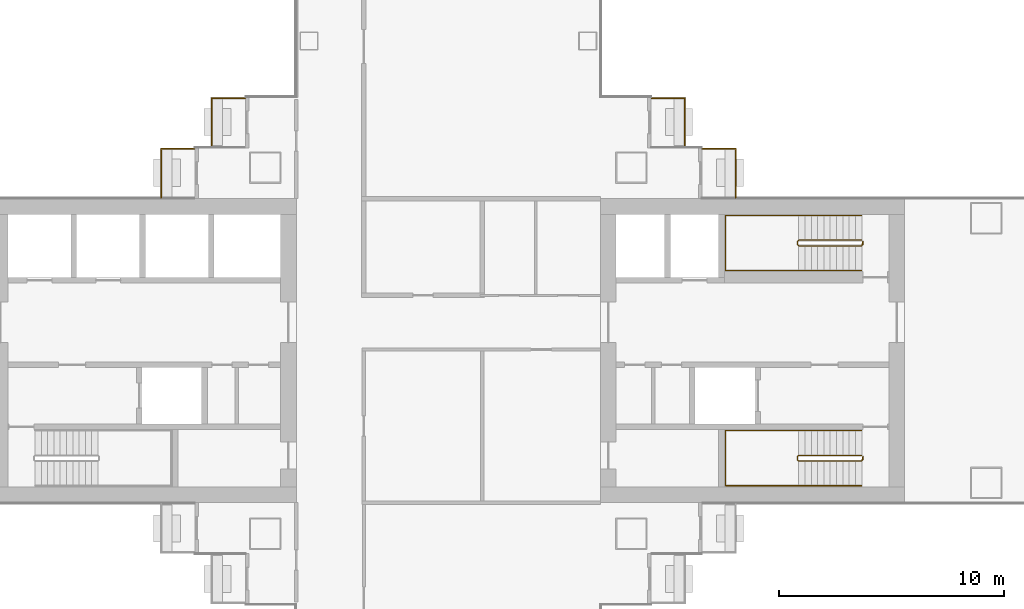
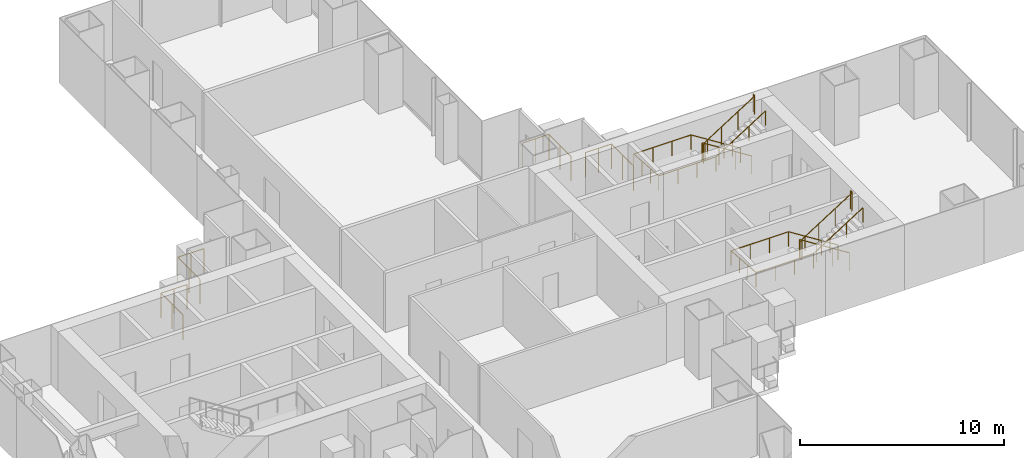
# One storey, part 21 of 22: 8 railings.
"""IFC4 building model written with IfcOpenShell, lengths in metres."""

from ifc_helpers import new_model, si_unit, direction, frame, origin, origin_2d, place, context, subcontext, project, spatial, circle, extrude, material, type_object, element, save


model = new_model("IFC4")

# Units and contexts
model_context = context("Model", 3, precision=1e-05, world=origin(), true_north=direction((0.0, 1.0)))
body_context = subcontext(model_context, "Body", "Model", "MODEL_VIEW")
ifc_project = project(units=[si_unit("LENGTHUNIT", "METRE"), si_unit("AREAUNIT", "SQUARE_METRE"), si_unit("VOLUMEUNIT", "CUBIC_METRE"), si_unit("PLANEANGLEUNIT", "RADIAN"), si_unit("MASSUNIT", "GRAM", prefix="KILO")], contexts=[model_context])

# Site, building, storey
site_placement = place(None, origin())
site = spatial("IfcSite", under=ifc_project, at=site_placement, CompositionType="ELEMENT")
building_placement = place(site_placement, origin())
building = spatial("IfcBuilding", under=site, at=building_placement, Name="Shamsa Quay Exchange Towers", CompositionType="ELEMENT")
storey_placement = place(building_placement, frame((0.0, 0.0, 69.300048828125)))
storey = spatial("IfcBuildingStorey", under=building, at=storey_placement, Name="L15", CompositionType="ELEMENT", Elevation=69.300048828125)

# Railings
ifc_material_1 = material(Name="Steel S355, black powder-coated", Category="steel")
railing_type_1 = type_object("IfcRailingType", Name="BALCONY GUARD 1500", PredefinedType="GUARDRAIL", material=ifc_material_1)
for number, where, name in (
    (1, (24.72900390625, 11.199951171875, 0.0), "Balcony guard T2-PKEN L15"),
    (2, (22.47900390625, 8.949951171875, 0.0), "Balcony guard T2-PKEN L15"),
):
    element("IfcRailing", number, at=place(storey_placement, frame(where)), inside=storey, type_object=railing_type_1, Name=name, PredefinedType="GUARDRAIL", context=body_context, shape_type="SweptSolid", body=[
        extrude(circle(Radius=0.02392578125, at=origin_2d()), frame((0.0, 0.0, 1.47607421875), z_axis=(-1.0, 0.0, 0.0), x_axis=(0.0, -1.0, 0.0)), (0.0, 0.0, 1.0), 1.47900390625),
        extrude(circle(Radius=0.02392578125, at=origin_2d()), frame((-1.47900390625, 0.0, 1.47607421875), z_axis=(0.0, -1.0, 0.0), x_axis=(1.0, 0.0, 0.0)), (0.0, 0.0, 1.0), 2.161865234375),
        extrude(circle(Radius=0.02099609375, at=origin_2d()), origin(), (0.0, 0.0, 1.0), 1.451904296875),
        extrude(circle(Radius=0.02099609375, at=origin_2d()), frame((-0.739501953125, 0.0, 0.0)), (0.0, 0.0, 1.0), 1.451904296875),
        extrude(circle(Radius=0.02099609375, at=origin_2d()), frame((-1.47900390625, 0.0, 0.0)), (0.0, 0.0, 1.0), 1.451904296875),
        extrude(circle(Radius=0.02099609375, at=origin_2d()), frame((-1.47900390625, -1.0810546875, 0.0)), (0.0, 0.0, 1.0), 1.451904296875),
        extrude(circle(Radius=0.02099609375, at=origin_2d()), frame((-1.47900390625, -2.161865234375, 0.0)), (0.0, 0.0, 1.0), 1.451904296875),
    ])
for number, where, name in (
    (3, (44.25, 9.0380859375, 0.0), "Balcony guard T2-PKES L15"),
    (4, (46.5, 6.7880859375, 0.0), "Balcony guard T2-PKES L15"),
):
    element("IfcRailing", number, at=place(storey_placement, frame(where)), inside=storey, type_object=railing_type_1, Name=name, PredefinedType="GUARDRAIL", context=body_context, shape_type="SweptSolid", body=[
        extrude(circle(Radius=0.02392578125, at=origin_2d()), frame((0.0, 0.0, 1.47607421875), z_axis=(0.0, 1.0, 0.0), x_axis=(-1.0, 0.0, 0.0)), (0.0, 0.0, 1.0), 2.161865234375),
        extrude(circle(Radius=0.02392578125, at=origin_2d()), frame((0.0, 2.161865234375, 1.47607421875), z_axis=(-1.0, 0.0, 0.0), x_axis=(0.0, -1.0, 0.0)), (0.0, 0.0, 1.0), 1.47900390625),
        extrude(circle(Radius=0.02099609375, at=origin_2d()), origin(), (0.0, 0.0, 1.0), 1.451904296875),
        extrude(circle(Radius=0.02099609375, at=origin_2d()), frame((0.0, 1.0810546875, 0.0)), (0.0, 0.0, 1.0), 1.451904296875),
        extrude(circle(Radius=0.02099609375, at=origin_2d()), frame((0.0, 2.161865234375, 0.0)), (0.0, 0.0, 1.0), 1.451904296875),
        extrude(circle(Radius=0.02099609375, at=origin_2d()), frame((-0.739501953125, 2.161865234375, 0.0)), (0.0, 0.0, 1.0), 1.451904296875),
        extrude(circle(Radius=0.02099609375, at=origin_2d()), frame((-1.47900390625, 2.161865234375, 0.0)), (0.0, 0.0, 1.0), 1.451904296875),
    ])
ifc_material_2 = material(Name="Stainless steel", Category="steel")
railing_type_2 = type_object("IfcRailingType", Name="STAIR GUARD 1100", PredefinedType="GUARDRAIL", material=ifc_material_2)
railing_1_placement = place(storey_placement, frame((52.10009765625, -4.64990234375, 0.17724609375)))
element("IfcRailing", 5, at=railing_1_placement, inside=storey, type_object=railing_type_2, Name="L15 ST5 stair guard 1", PredefinedType="GUARDRAIL", context=body_context, shape_type="SweptSolid", body=[
    extrude(circle(Radius=0.02392578125, at=origin_2d()), frame((0.0, 0.0, 1.076171875), z_axis=(-0.844908973607, 0.0, 0.534910110503), x_axis=(0.0, -1.0, 0.0)), (0.0, 0.0, 1.0), 3.31396484375),
    extrude(circle(Radius=0.02392578125, at=origin_2d()), frame((-2.800048828125, 0.0, 2.8486328125), z_axis=(-0.707106781187, -0.707106781187, 0.0), x_axis=(0.707106781187, -0.707106781187, 0.0)), (0.0, 0.0, 1.0), 0.07080078125),
    extrude(circle(Radius=0.02392578125, at=origin_2d()), frame((-2.85009765625, -0.050048828125, 2.8486328125), z_axis=(0.0, -1.0, 0.0), x_axis=(1.0, 0.0, 0.0)), (0.0, 0.0, 1.0), 0.150146484375),
    extrude(circle(Radius=0.02392578125, at=origin_2d()), frame((-2.85009765625, -0.2001953125, 2.8486328125), z_axis=(0.262321481514, -0.261041864531, 0.929001929653), x_axis=(0.705375805398, 0.708833529934, 0.0)), (0.0, 0.0, 1.0), 0.190673828125),
    extrude(circle(Radius=0.02392578125, at=origin_2d()), frame((-2.800048828125, -0.25, 3.02587890625), z_axis=(0.844908973607, 0.0, 0.534910110503), x_axis=(0.0, 1.0, 0.0)), (0.0, 0.0, 1.0), 3.31396484375),
    extrude(circle(Radius=0.02392578125, at=origin_2d()), frame((0.0, -0.25, 4.798828125), z_axis=(0.241699205484, 0.970351222016, 0.0), x_axis=(-0.970351222016, 0.241699205484, 0.0)), (0.0, 0.0, 1.0), 0.2060546875),
    extrude(circle(Radius=0.02392578125, at=origin_2d()), frame((0.0498046875, -0.050048828125, 4.798828125), z_axis=(0.0, -1.0, 0.0), x_axis=(1.0, 0.0, 0.0)), (0.0, 0.0, 1.0), 0.150146484375),
    extrude(circle(Radius=0.02099609375, at=origin_2d()), origin(), (0.0, 0.0, 1.0), 1.052001953125),
    extrude(circle(Radius=0.02099609375, at=origin_2d()), frame((-0.933349609375, 0.0, 0.5908203125)), (0.0, 0.0, 1.0), 1.052001953125),
    extrude(circle(Radius=0.02099609375, at=origin_2d()), frame((-1.86669921875, 0.0, 1.181884765625)), (0.0, 0.0, 1.0), 1.052001953125),
    extrude(circle(Radius=0.02099609375, at=origin_2d()), frame((-2.800048828125, 0.0, 1.772705078125)), (0.0, 0.0, 1.0), 1.052001953125),
    extrude(circle(Radius=0.02099609375, at=origin_2d()), frame((-2.85009765625, -0.050048828125, 1.772705078125)), (0.0, 0.0, 1.0), 1.052001953125),
    extrude(circle(Radius=0.02099609375, at=origin_2d()), frame((-2.85009765625, -0.2001953125, 1.772705078125)), (0.0, 0.0, 1.0), 1.052001953125),
    extrude(circle(Radius=0.02099609375, at=origin_2d()), frame((-2.800048828125, -0.25, 1.949951171875)), (0.0, 0.0, 1.0), 1.052001953125),
    extrude(circle(Radius=0.02099609375, at=origin_2d()), frame((-1.86669921875, -0.25, 2.540771484375)), (0.0, 0.0, 1.0), 1.052001953125),
    extrude(circle(Radius=0.02099609375, at=origin_2d()), frame((-0.933349609375, -0.25, 3.1318359375)), (0.0, 0.0, 1.0), 1.052001953125),
    extrude(circle(Radius=0.02099609375, at=origin_2d()), frame((0.0, -0.25, 3.72265625)), (0.0, 0.0, 1.0), 1.052001953125),
    extrude(circle(Radius=0.02099609375, at=origin_2d()), frame((0.0498046875, -0.050048828125, 3.72265625)), (0.0, 0.0, 1.0), 1.052001953125),
    extrude(circle(Radius=0.02099609375, at=origin_2d()), frame((0.0498046875, -0.2001953125, 3.72265625)), (0.0, 0.0, 1.0), 1.052001953125),
])
railing_2_placement = place(storey_placement, frame((52.10009765625, 4.89990234375, 0.17724609375)))
element("IfcRailing", 6, at=railing_2_placement, inside=storey, type_object=railing_type_2, Name="L15 ST6 stair guard 1", PredefinedType="GUARDRAIL", context=body_context, shape_type="SweptSolid", body=[
    extrude(circle(Radius=0.02392578125, at=origin_2d()), frame((0.0, 0.0, 1.076171875), z_axis=(-0.844908973607, 0.0, 0.534910110503), x_axis=(0.0, -1.0, 0.0)), (0.0, 0.0, 1.0), 3.31396484375),
    extrude(circle(Radius=0.02392578125, at=origin_2d()), frame((-2.800048828125, 0.0, 2.8486328125), z_axis=(-0.708833529934, -0.705375805398, 0.0), x_axis=(0.705375805398, -0.708833529934, 0.0)), (0.0, 0.0, 1.0), 0.070556640625),
    extrude(circle(Radius=0.02392578125, at=origin_2d()), frame((-2.85009765625, -0.0498046875, 2.8486328125), z_axis=(0.0, -1.0, 0.0), x_axis=(1.0, 0.0, 0.0)), (0.0, 0.0, 1.0), 0.150146484375),
    extrude(circle(Radius=0.02392578125, at=origin_2d()), frame((-2.85009765625, -0.199951171875, 2.8486328125), z_axis=(0.262233686654, -0.262233686654, 0.928691007369), x_axis=(0.707106781187, 0.707106781187, 0.0)), (0.0, 0.0, 1.0), 0.19091796875),
    extrude(circle(Radius=0.02392578125, at=origin_2d()), frame((-2.800048828125, -0.25, 3.02587890625), z_axis=(0.844908973607, 0.0, 0.534910110503), x_axis=(0.0, 1.0, 0.0)), (0.0, 0.0, 1.0), 3.31396484375),
    extrude(circle(Radius=0.02392578125, at=origin_2d()), frame((0.0, -0.25, 4.798828125), z_axis=(0.24142163986, 0.970420317083, 0.0), x_axis=(-0.970420317083, 0.24142163986, 0.0)), (0.0, 0.0, 1.0), 0.206298828125),
    extrude(circle(Radius=0.02392578125, at=origin_2d()), frame((0.0498046875, -0.0498046875, 4.798828125), z_axis=(0.0, -1.0, 0.0), x_axis=(1.0, 0.0, 0.0)), (0.0, 0.0, 1.0), 0.150146484375),
    extrude(circle(Radius=0.02099609375, at=origin_2d()), origin(), (0.0, 0.0, 1.0), 1.052001953125),
    extrude(circle(Radius=0.02099609375, at=origin_2d()), frame((-0.933349609375, 0.0, 0.5908203125)), (0.0, 0.0, 1.0), 1.052001953125),
    extrude(circle(Radius=0.02099609375, at=origin_2d()), frame((-1.86669921875, 0.0, 1.181884765625)), (0.0, 0.0, 1.0), 1.052001953125),
    extrude(circle(Radius=0.02099609375, at=origin_2d()), frame((-2.800048828125, 0.0, 1.772705078125)), (0.0, 0.0, 1.0), 1.052001953125),
    extrude(circle(Radius=0.02099609375, at=origin_2d()), frame((-2.85009765625, -0.0498046875, 1.772705078125)), (0.0, 0.0, 1.0), 1.052001953125),
    extrude(circle(Radius=0.02099609375, at=origin_2d()), frame((-2.85009765625, -0.199951171875, 1.772705078125)), (0.0, 0.0, 1.0), 1.052001953125),
    extrude(circle(Radius=0.02099609375, at=origin_2d()), frame((-2.800048828125, -0.25, 1.949951171875)), (0.0, 0.0, 1.0), 1.052001953125),
    extrude(circle(Radius=0.02099609375, at=origin_2d()), frame((-1.86669921875, -0.25, 2.540771484375)), (0.0, 0.0, 1.0), 1.052001953125),
    extrude(circle(Radius=0.02099609375, at=origin_2d()), frame((-0.933349609375, -0.25, 3.1318359375)), (0.0, 0.0, 1.0), 1.052001953125),
    extrude(circle(Radius=0.02099609375, at=origin_2d()), frame((0.0, -0.25, 3.72265625)), (0.0, 0.0, 1.0), 1.052001953125),
    extrude(circle(Radius=0.02099609375, at=origin_2d()), frame((0.0498046875, -0.0498046875, 3.72265625)), (0.0, 0.0, 1.0), 1.052001953125),
    extrude(circle(Radius=0.02099609375, at=origin_2d()), frame((0.0498046875, -0.199951171875, 3.72265625)), (0.0, 0.0, 1.0), 1.052001953125),
])
railing_type_3 = type_object("IfcRailingType", Name="STAIR HANDRAIL 900", PredefinedType="HANDRAIL", material=ifc_material_2)
railing_3_placement = place(storey_placement, frame((52.10009765625, -3.550048828125, 0.17724609375)))
element("IfcRailing", 7, at=railing_3_placement, inside=storey, type_object=railing_type_3, Name="L15 ST5 stair handrail 1", PredefinedType="HANDRAIL", context=body_context, shape_type="SweptSolid", body=[
    extrude(circle(Radius=0.02392578125, at=origin_2d()), frame((0.0, 0.0, 0.8759765625), z_axis=(-0.844908973607, 0.0, 0.534910110503), x_axis=(0.0, -1.0, 0.0)), (0.0, 0.0, 1.0), 3.31396484375),
    extrude(circle(Radius=0.02392578125, at=origin_2d()), frame((-2.800048828125, 0.0, 2.6484375), z_axis=(-1.0, 0.0, 0.0), x_axis=(0.0, -1.0, 0.0)), (0.0, 0.0, 1.0), 3.25),
    extrude(circle(Radius=0.02392578125, at=origin_2d()), frame((-6.050048828125, 0.0, 2.6484375), z_axis=(0.0, -0.997393199914, 0.07215819264), x_axis=(1.0, 0.0, 0.0)), (0.0, 0.0, 1.0), 2.456298828125),
    extrude(circle(Radius=0.02392578125, at=origin_2d()), frame((-6.050048828125, -2.449951171875, 2.82568359375), z_axis=(1.0, 0.0, 0.0), x_axis=(0.0, 1.0, 0.0)), (0.0, 0.0, 1.0), 3.25),
    extrude(circle(Radius=0.02392578125, at=origin_2d()), frame((-2.800048828125, -2.449951171875, 2.82568359375), z_axis=(0.844908973607, 0.0, 0.534910110503), x_axis=(0.0, 1.0, 0.0)), (0.0, 0.0, 1.0), 3.31396484375),
    extrude(circle(Radius=0.02099609375, at=origin_2d()), origin(), (0.0, 0.0, 1.0), 0.851806640625),
    extrude(circle(Radius=0.02099609375, at=origin_2d()), frame((-0.933349609375, 0.0, 0.5908203125)), (0.0, 0.0, 1.0), 0.851806640625),
    extrude(circle(Radius=0.02099609375, at=origin_2d()), frame((-1.86669921875, 0.0, 1.181884765625)), (0.0, 0.0, 1.0), 0.851806640625),
    extrude(circle(Radius=0.02099609375, at=origin_2d()), frame((-2.800048828125, 0.0, 1.772705078125)), (0.0, 0.0, 1.0), 0.851806640625),
    extrude(circle(Radius=0.02099609375, at=origin_2d()), frame((-3.88330078125, 0.0, 1.772705078125)), (0.0, 0.0, 1.0), 0.851806640625),
    extrude(circle(Radius=0.02099609375, at=origin_2d()), frame((-4.966796875, 0.0, 1.772705078125)), (0.0, 0.0, 1.0), 0.851806640625),
    extrude(circle(Radius=0.02099609375, at=origin_2d()), frame((-6.050048828125, 0.0, 1.772705078125)), (0.0, 0.0, 1.0), 0.851806640625),
    extrude(circle(Radius=0.02099609375, at=origin_2d()), frame((-6.050048828125, -0.816650390625, 1.831787109375)), (0.0, 0.0, 1.0), 0.851806640625),
    extrude(circle(Radius=0.02099609375, at=origin_2d()), frame((-6.050048828125, -1.63330078125, 1.890869140625)), (0.0, 0.0, 1.0), 0.851806640625),
    extrude(circle(Radius=0.02099609375, at=origin_2d()), frame((-6.050048828125, -2.449951171875, 1.949951171875)), (0.0, 0.0, 1.0), 0.851806640625),
    extrude(circle(Radius=0.02099609375, at=origin_2d()), frame((-4.966796875, -2.449951171875, 1.949951171875)), (0.0, 0.0, 1.0), 0.851806640625),
    extrude(circle(Radius=0.02099609375, at=origin_2d()), frame((-3.88330078125, -2.449951171875, 1.949951171875)), (0.0, 0.0, 1.0), 0.851806640625),
    extrude(circle(Radius=0.02099609375, at=origin_2d()), frame((-2.800048828125, -2.449951171875, 1.949951171875)), (0.0, 0.0, 1.0), 0.851806640625),
    extrude(circle(Radius=0.02099609375, at=origin_2d()), frame((-1.86669921875, -2.449951171875, 2.540771484375)), (0.0, 0.0, 1.0), 0.851806640625),
    extrude(circle(Radius=0.02099609375, at=origin_2d()), frame((-0.933349609375, -2.449951171875, 3.1318359375)), (0.0, 0.0, 1.0), 0.851806640625),
    extrude(circle(Radius=0.02099609375, at=origin_2d()), frame((0.0, -2.449951171875, 3.72265625)), (0.0, 0.0, 1.0), 0.851806640625),
])
railing_4_placement = place(storey_placement, frame((52.10009765625, 6.0, 0.17724609375)))
element("IfcRailing", 8, at=railing_4_placement, inside=storey, type_object=railing_type_3, Name="L15 ST6 stair handrail 1", PredefinedType="HANDRAIL", context=body_context, shape_type="SweptSolid", body=[
    extrude(circle(Radius=0.02392578125, at=origin_2d()), frame((0.0, 0.0, 0.8759765625), z_axis=(-0.844908973607, 0.0, 0.534910110503), x_axis=(0.0, -1.0, 0.0)), (0.0, 0.0, 1.0), 3.31396484375),
    extrude(circle(Radius=0.02392578125, at=origin_2d()), frame((-2.800048828125, 0.0, 2.6484375), z_axis=(-1.0, 0.0, 0.0), x_axis=(0.0, -1.0, 0.0)), (0.0, 0.0, 1.0), 3.25),
    extrude(circle(Radius=0.02392578125, at=origin_2d()), frame((-6.050048828125, 0.0, 2.6484375), z_axis=(0.0, -0.997393199914, 0.07215819264), x_axis=(1.0, 0.0, 0.0)), (0.0, 0.0, 1.0), 2.456298828125),
    extrude(circle(Radius=0.02392578125, at=origin_2d()), frame((-6.050048828125, -2.449951171875, 2.82568359375), z_axis=(1.0, 0.0, 0.0), x_axis=(0.0, 1.0, 0.0)), (0.0, 0.0, 1.0), 3.25),
    extrude(circle(Radius=0.02392578125, at=origin_2d()), frame((-2.800048828125, -2.449951171875, 2.82568359375), z_axis=(0.844908973607, 0.0, 0.534910110503), x_axis=(0.0, 1.0, 0.0)), (0.0, 0.0, 1.0), 3.31396484375),
    extrude(circle(Radius=0.02099609375, at=origin_2d()), origin(), (0.0, 0.0, 1.0), 0.851806640625),
    extrude(circle(Radius=0.02099609375, at=origin_2d()), frame((-0.933349609375, 0.0, 0.5908203125)), (0.0, 0.0, 1.0), 0.851806640625),
    extrude(circle(Radius=0.02099609375, at=origin_2d()), frame((-1.86669921875, 0.0, 1.181884765625)), (0.0, 0.0, 1.0), 0.851806640625),
    extrude(circle(Radius=0.02099609375, at=origin_2d()), frame((-2.800048828125, 0.0, 1.772705078125)), (0.0, 0.0, 1.0), 0.851806640625),
    extrude(circle(Radius=0.02099609375, at=origin_2d()), frame((-3.88330078125, 0.0, 1.772705078125)), (0.0, 0.0, 1.0), 0.851806640625),
    extrude(circle(Radius=0.02099609375, at=origin_2d()), frame((-4.966796875, 0.0, 1.772705078125)), (0.0, 0.0, 1.0), 0.851806640625),
    extrude(circle(Radius=0.02099609375, at=origin_2d()), frame((-6.050048828125, 0.0, 1.772705078125)), (0.0, 0.0, 1.0), 0.851806640625),
    extrude(circle(Radius=0.02099609375, at=origin_2d()), frame((-6.050048828125, -0.816650390625, 1.831787109375)), (0.0, 0.0, 1.0), 0.851806640625),
    extrude(circle(Radius=0.02099609375, at=origin_2d()), frame((-6.050048828125, -1.63330078125, 1.890869140625)), (0.0, 0.0, 1.0), 0.851806640625),
    extrude(circle(Radius=0.02099609375, at=origin_2d()), frame((-6.050048828125, -2.449951171875, 1.949951171875)), (0.0, 0.0, 1.0), 0.851806640625),
    extrude(circle(Radius=0.02099609375, at=origin_2d()), frame((-4.966796875, -2.449951171875, 1.949951171875)), (0.0, 0.0, 1.0), 0.851806640625),
    extrude(circle(Radius=0.02099609375, at=origin_2d()), frame((-3.88330078125, -2.449951171875, 1.949951171875)), (0.0, 0.0, 1.0), 0.851806640625),
    extrude(circle(Radius=0.02099609375, at=origin_2d()), frame((-2.800048828125, -2.449951171875, 1.949951171875)), (0.0, 0.0, 1.0), 0.851806640625),
    extrude(circle(Radius=0.02099609375, at=origin_2d()), frame((-1.86669921875, -2.449951171875, 2.540771484375)), (0.0, 0.0, 1.0), 0.851806640625),
    extrude(circle(Radius=0.02099609375, at=origin_2d()), frame((-0.933349609375, -2.449951171875, 3.1318359375)), (0.0, 0.0, 1.0), 0.851806640625),
    extrude(circle(Radius=0.02099609375, at=origin_2d()), frame((0.0, -2.449951171875, 3.72265625)), (0.0, 0.0, 1.0), 0.851806640625),
])

save(model, "model.ifc")
